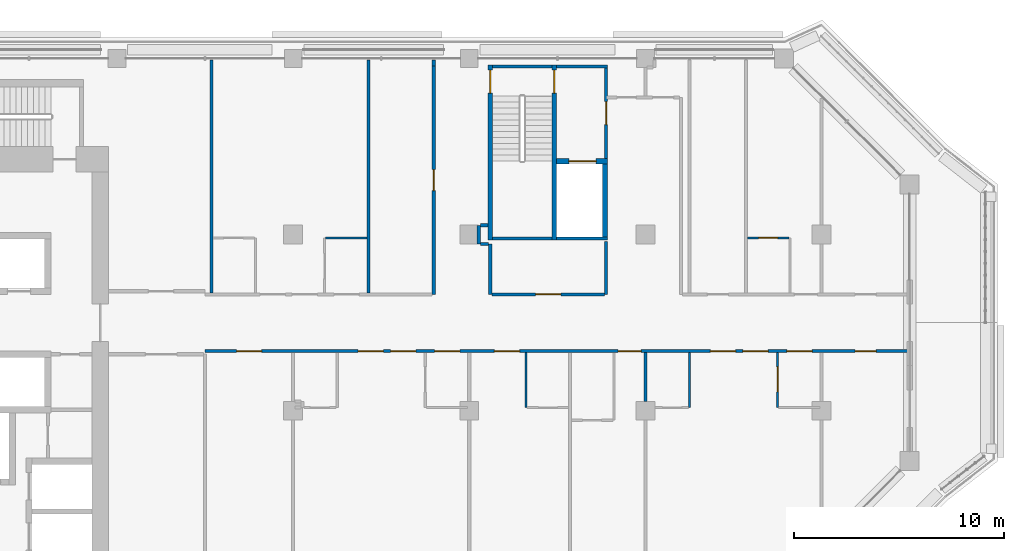
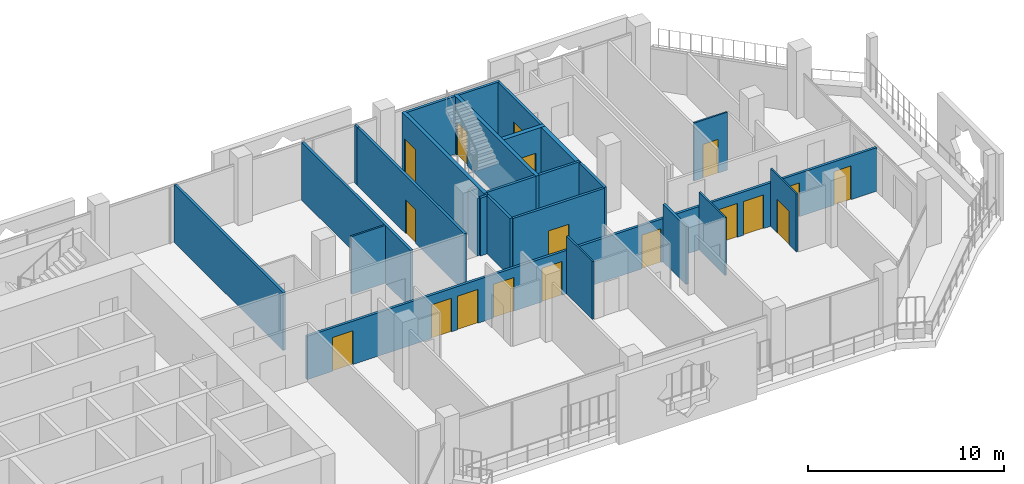
# One storey, part 13 of 23: 26 walls, 18 doors, 18 openings.
"""IFC4 building model written with IfcOpenShell, lengths in metres."""

from ifc_helpers import new_model, si_unit, direction, frame, frame_2d, origin, place, context, subcontext, project, spatial, rectangle, extrude, material, layer, layer_set, type_object, element, fill, save


model = new_model("IFC4")

# Units and contexts
model_context = context("Model", 3, precision=1e-05, world=origin(), true_north=direction((0.0, 1.0)))
body_context = subcontext(model_context, "Body", "Model", "MODEL_VIEW")
ifc_project = project(units=[si_unit("LENGTHUNIT", "METRE"), si_unit("AREAUNIT", "SQUARE_METRE"), si_unit("VOLUMEUNIT", "CUBIC_METRE"), si_unit("PLANEANGLEUNIT", "RADIAN"), si_unit("MASSUNIT", "GRAM", prefix="KILO")], contexts=[model_context])

# Site, building, storey
site_placement = place(None, origin())
site = spatial("IfcSite", under=ifc_project, at=site_placement, CompositionType="ELEMENT")
building_placement = place(site_placement, origin())
building = spatial("IfcBuilding", under=site, at=building_placement, Name="Kawkab Arch Medical Tower", CompositionType="ELEMENT")
storey_placement = place(building_placement, frame((0.0, 0.0, 247.39990234375)))
storey = spatial("IfcBuildingStorey", under=building, at=storey_placement, Name="L57", CompositionType="ELEMENT", Elevation=247.39990234375)

# Wall, opening, door
ifc_material_1 = material(Name="Gypsum board on steel studs", Category="steel")
ifc_layer_1 = layer(ifc_material_1, 0.14990234375)
ifc_layer_set_1 = layer_set([ifc_layer_1], Name="Gypsum board on steel studs")
wall_type_1 = type_object("IfcWallType", Name="Core room partition 150", PredefinedType="PARTITIONING", material=ifc_layer_set_1)
wall_1_placement = place(storey_placement, frame((48.52490234375, -4.77490234375, 0.0), z_axis=(0.0, 0.0, 1.0), x_axis=(0.0, 1.0, 0.0)))
wall_1 = element("IfcWall", 1, at=wall_1_placement, inside=storey, type_object=wall_type_1, Name="L57 core room partition", PredefinedType="PARTITIONING", context=body_context, shape_type="SweptSolid", body=[
    extrude(rectangle(XDim=4.324951171875, YDim=0.14990234375, at=frame_2d((2.16259765625, 0.0))), origin(), (0.0, 0.0, 1.0), 3.60009765625),
])
opening_1_placement = place(wall_1_placement, frame((1.625, 0.0, 0.0)))
opening_1 = element("IfcOpeningElement", 2, at=opening_1_placement, cuts=wall_1, Name="Opening FD", PredefinedType="OPENING", context=body_context, shape_type="SweptSolid", body=[
    extrude(rectangle(XDim=1.10009765625, YDim=2.10009765625, at=frame_2d((0.550048828125, 1.050048828125))), frame((0.0, 0.0849609375, 0.0), z_axis=(0.0, -1.0, 0.0), x_axis=(1.0, 0.0, 0.0)), (0.0, 0.0, 1.0), 0.169921875),
])
ifc_material_2 = material(Name="Hollow metal fire door leaf")
door_type_1 = type_object("IfcDoorType", Name="Firefighting lobby door 1100", OperationType="SINGLE_SWING_LEFT", PredefinedType="DOOR", material=ifc_material_2)
door_1_placement = place(opening_1_placement, origin())
door_1 = element("IfcDoor", 3, at=door_1_placement, inside=storey, type_object=door_type_1, Name="L57 Service lift lobby door SV1", OperationType="SINGLE_SWING_LEFT", OverallHeight=2.10009765625, OverallWidth=1.10009765625, PredefinedType="DOOR", context=body_context, shape_type="SweptSolid", body=[
    extrude(rectangle(XDim=1.10009765625, YDim=2.10009765625, at=frame_2d((0.550048828125, 1.050048828125))), frame((0.0, 0.02490234375, 0.0), z_axis=(0.0, -1.0, 0.0), x_axis=(1.0, 0.0, 0.0)), (0.0, 0.0, 1.0), 0.050048828125),
])
fill(opening_1, door_1)

ifc_material_3 = material(Name="Concrete C60/75", Category="concrete")
ifc_layer_2 = layer(ifc_material_3, 0.25)
ifc_layer_set_2 = layer_set([ifc_layer_2], Name="Concrete C60/75")
wall_type_2 = type_object("IfcWallType", Name="Core shear wall 250 C60/75", PredefinedType="SHEAR", material=ifc_layer_set_2)
wall_2_placement = place(storey_placement, frame((46.14990234375, -4.89990234375, 0.0), z_axis=(0.0, 0.0, 1.0), x_axis=(1.0, 0.0, 0.0)))
wall_2 = element("IfcWall", 4, at=wall_2_placement, inside=storey, type_object=wall_type_2, Name="L57 core shear wall", PredefinedType="SHEAR", context=body_context, shape_type="SweptSolid", body=[
    extrude(rectangle(XDim=2.4501953125, YDim=0.25, at=frame_2d((1.22509765625, 0.0))), origin(), (0.0, 0.0, 1.0), 3.60009765625),
])
opening_2_placement = place(wall_2_placement, frame((0.60009765625, 0.0, 0.0)))
opening_2 = element("IfcOpeningElement", 5, at=opening_2_placement, cuts=wall_2, Name="Opening LD2", PredefinedType="OPENING", context=body_context, shape_type="SweptSolid", body=[
    extrude(rectangle(XDim=1.300048828125, YDim=2.10009765625, at=frame_2d((0.64990234375, 1.050048828125))), frame((0.0, 0.135009765625, 0.0), z_axis=(0.0, -1.0, 0.0), x_axis=(1.0, 0.0, 0.0)), (0.0, 0.0, 1.0), 0.27001953125),
])
ifc_material_4 = material(Name="Stainless steel lift door leaf", Category="steel")
door_type_2 = type_object("IfcDoorType", Name="Lift landing door 1300", OperationType="DOUBLE_DOOR_SLIDING", PredefinedType="DOOR", material=ifc_material_4)
door_2_placement = place(opening_2_placement, origin())
door_2 = element("IfcDoor", 6, at=door_2_placement, inside=storey, type_object=door_type_2, Name="L57 Lift landing door SV1", OperationType="DOUBLE_DOOR_SLIDING", OverallHeight=2.10009765625, OverallWidth=1.300048828125, PredefinedType="DOOR", context=body_context, shape_type="SweptSolid", body=[
    extrude(rectangle(XDim=1.300048828125, YDim=2.10009765625, at=frame_2d((0.64990234375, 1.050048828125))), frame((0.0, 0.02490234375, 0.0), z_axis=(0.0, -1.0, 0.0), x_axis=(1.0, 0.0, 0.0)), (0.0, 0.0, 1.0), 0.050048828125),
])
fill(opening_2, door_2)

# Walls
wall_3_placement = place(storey_placement, frame((48.47509765625, -8.5, 0.0), z_axis=(0.0, 0.0, 1.0), x_axis=(0.0, 1.0, 0.0)))
element("IfcWall", 7, at=wall_3_placement, inside=storey, type_object=wall_type_2, Name="L57 core shear wall", PredefinedType="SHEAR", context=body_context, shape_type="SweptSolid", body=[
    extrude(rectangle(XDim=3.47509765625, YDim=0.25, at=frame_2d((1.737548828125, 0.0))), origin(), (0.0, 0.0, 1.0), 3.60009765625),
])
ifc_material_5 = material(Name="Gypsum board partition on steel studs", Category="steel")
ifc_layer_3 = layer(ifc_material_5, 0.10009765625)
ifc_layer_set_3 = layer_set([ifc_layer_3], Name="Gypsum board partition on steel studs")
wall_type_3 = type_object("IfcWallType", Name="Partition 100", PredefinedType="PARTITIONING", material=ifc_layer_set_3)
wall_4_placement = place(storey_placement, frame((35.14990234375, -8.550048828125, 0.0), z_axis=(0.0, 0.0, 1.0), x_axis=(1.0, 0.0, 0.0)))
element("IfcWall", 8, at=wall_4_placement, inside=storey, type_object=wall_type_3, Name="Partition 100 w008", PredefinedType="PARTITIONING", context=body_context, shape_type="SweptSolid", body=[
    extrude(rectangle(XDim=1.97509765625, YDim=0.10009765625, at=frame_2d((0.987548828125, 0.0))), origin(), (0.0, 0.0, 1.0), 3.60009765625),
])

# Wall, opening, door
wall_5_placement = place(storey_placement, frame((55.27490234375, -8.550048828125, 0.0), z_axis=(0.0, 0.0, 1.0), x_axis=(1.0, 0.0, 0.0)))
wall_5 = element("IfcWall", 9, at=wall_5_placement, inside=storey, type_object=wall_type_3, Name="Partition 100 w009", PredefinedType="PARTITIONING", context=body_context, shape_type="SweptSolid", body=[
    extrude(rectangle(XDim=1.97509765625, YDim=0.10009765625, at=frame_2d((0.987548828125, 0.0))), origin(), (0.0, 0.0, 1.0), 3.60009765625),
])
opening_3_placement = place(wall_5_placement, frame((0.52490234375, 0.0, 0.0)))
opening_3 = element("IfcOpeningElement", 10, at=opening_3_placement, cuts=wall_5, Name="Opening W57-003", PredefinedType="OPENING", context=body_context, shape_type="SweptSolid", body=[
    extrude(rectangle(XDim=0.89990234375, YDim=2.10009765625, at=frame_2d((0.449951171875, 1.050048828125))), frame((0.0, 0.06005859375, 0.0), z_axis=(0.0, -1.0, 0.0), x_axis=(1.0, 0.0, 0.0)), (0.0, 0.0, 1.0), 0.1201171875),
])
ifc_material_6 = material(Name="Timber door leaf", Category="wood")
door_type_3 = type_object("IfcDoorType", Name="Single door 900x2100", OperationType="NOTDEFINED", PredefinedType="DOOR", material=ifc_material_6)
door_3_placement = place(opening_3_placement, origin())
door_3 = element("IfcDoor", 11, at=door_3_placement, inside=storey, type_object=door_type_3, Name="Door W57-003", OperationType="SINGLE_SWING_LEFT", OverallHeight=2.10009765625, OverallWidth=0.89990234375, PredefinedType="DOOR", context=body_context, shape_type="SweptSolid", body=[
    extrude(rectangle(XDim=0.89990234375, YDim=2.10009765625, at=frame_2d((0.449951171875, 1.050048828125))), frame((0.0, 0.02490234375, 0.0), z_axis=(0.0, -1.0, 0.0), x_axis=(1.0, 0.0, 0.0)), (0.0, 0.0, 1.0), 0.050048828125),
])
fill(opening_3, door_3)

# Walls
for number, where, z_axis, x_axis, name in (
    (12, (44.699951171875, -16.64990234375, 0.0), (0.0, 0.0, 1.0), (0.0, 1.0, 0.0), "Partition 100 w014"),
    (13, (52.5, -16.64990234375, 0.0), (0.0, 0.0, 1.0), (0.0, 1.0, 0.0), "Partition 100 w016"),
):
    element("IfcWall", number, at=place(storey_placement, frame(where, z_axis=z_axis, x_axis=x_axis)), inside=storey, type_object=wall_type_3, Name=name, PredefinedType="PARTITIONING", context=body_context, shape_type="SweptSolid", body=[
        extrude(rectangle(XDim=2.625, YDim=0.10009765625, at=frame_2d((1.3125, 0.0))), origin(), (0.0, 0.0, 1.0), 3.60009765625),
    ])

# Wall, opening, door
wall_6_placement = place(storey_placement, frame((56.699951171875, -16.64990234375, 0.0), z_axis=(0.0, 0.0, 1.0), x_axis=(0.0, 1.0, 0.0)))
wall_6 = element("IfcWall", 14, at=wall_6_placement, inside=storey, type_object=wall_type_3, Name="Partition 100 w017", PredefinedType="PARTITIONING", context=body_context, shape_type="SweptSolid", body=[
    extrude(rectangle(XDim=2.625, YDim=0.10009765625, at=frame_2d((1.3125, 0.0))), origin(), (0.0, 0.0, 1.0), 3.60009765625),
])
opening_4_placement = place(wall_6_placement, frame((0.75, 0.0, 0.0)))
opening_4 = element("IfcOpeningElement", 15, at=opening_4_placement, cuts=wall_6, Name="Opening W57-036", PredefinedType="OPENING", context=body_context, shape_type="SweptSolid", body=[
    extrude(rectangle(XDim=1.199951171875, YDim=2.10009765625, at=frame_2d((0.60009765625, 1.050048828125))), frame((0.0, 0.06005859375, 0.0), z_axis=(0.0, -1.0, 0.0), x_axis=(1.0, 0.0, 0.0)), (0.0, 0.0, 1.0), 0.1201171875),
])
ifc_material_7 = material(Name="Timber door leaf", Category="wood")
door_type_4 = type_object("IfcDoorType", Name="Single door 1200x2100", OperationType="NOTDEFINED", PredefinedType="DOOR", material=ifc_material_7)
door_4_placement = place(opening_4_placement, origin())
door_4 = element("IfcDoor", 16, at=door_4_placement, inside=storey, type_object=door_type_4, Name="Door W57-036", OperationType="SINGLE_SWING_RIGHT", OverallHeight=2.10009765625, OverallWidth=1.199951171875, PredefinedType="DOOR", context=body_context, shape_type="SweptSolid", body=[
    extrude(rectangle(XDim=1.199951171875, YDim=2.10009765625, at=frame_2d((0.60009765625, 1.050048828125))), frame((0.0, 0.02490234375, 0.0), z_axis=(0.0, -1.0, 0.0), x_axis=(1.0, 0.0, 0.0)), (0.0, 0.0, 1.0), 0.050048828125),
])
fill(opening_4, door_4)

# Wall, openings, doors
ifc_material_8 = material(Name="Gypsum board partition on steel studs, mineral wool", Category="steel")
ifc_layer_4 = layer(ifc_material_8, 0.14990234375)
ifc_layer_set_4 = layer_set([ifc_layer_4], Name="Gypsum board partition on steel studs, mineral wool")
wall_type_4 = type_object("IfcWallType", Name="Partition 150", PredefinedType="PARTITIONING", material=ifc_layer_set_4)
wall_7_placement = place(storey_placement, frame((29.39990234375, -13.949951171875, 0.0), z_axis=(0.0, 0.0, 1.0), x_axis=(1.0, 0.0, 0.0)))
wall_7 = element("IfcWall", 17, at=wall_7_placement, inside=storey, type_object=wall_type_4, Name="Partition 150 w033", PredefinedType="PARTITIONING", context=body_context, shape_type="SweptSolid", body=[
    extrude(rectangle(XDim=33.52001953125, YDim=0.14990234375, at=frame_2d((16.760009765625, 0.0))), origin(), (0.0, 0.0, 1.0), 2.7001953125),
])
opening_5_placement = place(wall_7_placement, frame((1.5, 0.0, 0.0)))
opening_5 = element("IfcOpeningElement", 18, at=opening_5_placement, cuts=wall_7, Name="Opening W57-027", PredefinedType="OPENING", context=body_context, shape_type="SweptSolid", body=[
    extrude(rectangle(XDim=1.199951171875, YDim=2.10009765625, at=frame_2d((0.60009765625, 1.050048828125))), frame((0.0, 0.0849609375, 0.0), z_axis=(0.0, -1.0, 0.0), x_axis=(1.0, 0.0, 0.0)), (0.0, 0.0, 1.0), 0.169921875),
])
opening_6_placement = place(wall_7_placement, frame((8.85009765625, 0.0, 0.0)))
opening_6 = element("IfcOpeningElement", 19, at=opening_6_placement, cuts=wall_7, Name="Opening W57-028", PredefinedType="OPENING", context=body_context, shape_type="SweptSolid", body=[
    extrude(rectangle(XDim=1.199951171875, YDim=2.10009765625, at=frame_2d((0.60009765625, 1.050048828125))), frame((0.0, 0.0849609375, 0.0), z_axis=(0.0, -1.0, 0.0), x_axis=(1.0, 0.0, 0.0)), (0.0, 0.0, 1.0), 0.169921875),
])
opening_7_placement = place(wall_7_placement, frame((7.300048828125, 0.0, 0.0)))
opening_7 = element("IfcOpeningElement", 20, at=opening_7_placement, cuts=wall_7, Name="Opening W57-029", PredefinedType="OPENING", context=body_context, shape_type="SweptSolid", body=[
    extrude(rectangle(XDim=1.199951171875, YDim=2.10009765625, at=frame_2d((0.60009765625, 1.050048828125))), frame((0.0, 0.0849609375, 0.0), z_axis=(0.0, -1.0, 0.0), x_axis=(1.0, 0.0, 0.0)), (0.0, 0.0, 1.0), 0.169921875),
])
opening_8_placement = place(wall_7_placement, frame((10.949951171875, 0.0, 0.0)))
opening_8 = element("IfcOpeningElement", 21, at=opening_8_placement, cuts=wall_7, Name="Opening W57-030", PredefinedType="OPENING", context=body_context, shape_type="SweptSolid", body=[
    extrude(rectangle(XDim=1.199951171875, YDim=2.10009765625, at=frame_2d((0.60009765625, 1.050048828125))), frame((0.0, 0.0849609375, 0.0), z_axis=(0.0, -1.0, 0.0), x_axis=(1.0, 0.0, 0.0)), (0.0, 0.0, 1.0), 0.169921875),
])
opening_9_placement = place(wall_7_placement, frame((13.800048828125, 0.0, 0.0)))
opening_9 = element("IfcOpeningElement", 22, at=opening_9_placement, cuts=wall_7, Name="Opening W57-032", PredefinedType="OPENING", context=body_context, shape_type="SweptSolid", body=[
    extrude(rectangle(XDim=1.199951171875, YDim=2.10009765625, at=frame_2d((0.60009765625, 1.050048828125))), frame((0.0, 0.0849609375, 0.0), z_axis=(0.0, -1.0, 0.0), x_axis=(1.0, 0.0, 0.0)), (0.0, 0.0, 1.0), 0.169921875),
])
opening_10_placement = place(wall_7_placement, frame((19.699951171875, 0.0, 0.0)))
opening_10 = element("IfcOpeningElement", 23, at=opening_10_placement, cuts=wall_7, Name="Opening W57-020", PredefinedType="OPENING", context=body_context, shape_type="SweptSolid", body=[
    extrude(rectangle(XDim=1.10009765625, YDim=2.10009765625, at=frame_2d((0.550048828125, 1.050048828125))), frame((0.0, 0.0849609375, 0.0), z_axis=(0.0, -1.0, 0.0), x_axis=(1.0, 0.0, 0.0)), (0.0, 0.0, 1.0), 0.169921875),
])
opening_11_placement = place(wall_7_placement, frame((25.64990234375, 0.0, 0.0)))
opening_11 = element("IfcOpeningElement", 24, at=opening_11_placement, cuts=wall_7, Name="Opening W57-033", PredefinedType="OPENING", context=body_context, shape_type="SweptSolid", body=[
    extrude(rectangle(XDim=1.199951171875, YDim=2.10009765625, at=frame_2d((0.60009765625, 1.050048828125))), frame((0.0, 0.0849609375, 0.0), z_axis=(0.0, -1.0, 0.0), x_axis=(1.0, 0.0, 0.0)), (0.0, 0.0, 1.0), 0.169921875),
])
opening_12_placement = place(wall_7_placement, frame((24.10009765625, 0.0, 0.0)))
opening_12 = element("IfcOpeningElement", 25, at=opening_12_placement, cuts=wall_7, Name="Opening W57-034", PredefinedType="OPENING", context=body_context, shape_type="SweptSolid", body=[
    extrude(rectangle(XDim=1.199951171875, YDim=2.10009765625, at=frame_2d((0.60009765625, 1.050048828125))), frame((0.0, 0.0849609375, 0.0), z_axis=(0.0, -1.0, 0.0), x_axis=(1.0, 0.0, 0.0)), (0.0, 0.0, 1.0), 0.169921875),
])
opening_13_placement = place(wall_7_placement, frame((27.75, 0.0, 0.0)))
opening_13 = element("IfcOpeningElement", 26, at=opening_13_placement, cuts=wall_7, Name="Opening W57-035", PredefinedType="OPENING", context=body_context, shape_type="SweptSolid", body=[
    extrude(rectangle(XDim=1.199951171875, YDim=2.10009765625, at=frame_2d((0.60009765625, 1.050048828125))), frame((0.0, 0.0849609375, 0.0), z_axis=(0.0, -1.0, 0.0), x_axis=(1.0, 0.0, 0.0)), (0.0, 0.0, 1.0), 0.169921875),
])
opening_14_placement = place(wall_7_placement, frame((31.0, 0.0, 0.0)))
opening_14 = element("IfcOpeningElement", 27, at=opening_14_placement, cuts=wall_7, Name="Opening W57-012", PredefinedType="OPENING", context=body_context, shape_type="SweptSolid", body=[
    extrude(rectangle(XDim=1.0, YDim=2.10009765625, at=frame_2d((0.5, 1.050048828125))), frame((0.0, 0.0849609375, 0.0), z_axis=(0.0, -1.0, 0.0), x_axis=(1.0, 0.0, 0.0)), (0.0, 0.0, 1.0), 0.169921875),
])
ifc_material_9 = material(Name="Hollow metal door leaf")
door_type_5 = type_object("IfcDoorType", Name="Single door 1000x2100 FD30S", OperationType="NOTDEFINED", PredefinedType="DOOR", material=ifc_material_9)
door_5_placement = place(opening_14_placement, origin())
door_5 = element("IfcDoor", 28, at=door_5_placement, inside=storey, type_object=door_type_5, Name="Door W57-012", OperationType="SINGLE_SWING_LEFT", OverallHeight=2.10009765625, OverallWidth=1.0, PredefinedType="DOOR", context=body_context, shape_type="SweptSolid", body=[
    extrude(rectangle(XDim=1.0, YDim=2.10009765625, at=frame_2d((0.5, 1.050048828125))), frame((0.0, 0.02490234375, 0.0), z_axis=(0.0, -1.0, 0.0), x_axis=(1.0, 0.0, 0.0)), (0.0, 0.0, 1.0), 0.050048828125),
])
fill(opening_14, door_5)
ifc_material_10 = material(Name="Hollow metal door leaf")
door_type_6 = type_object("IfcDoorType", Name="Single door 1100x2100 FD30S", OperationType="NOTDEFINED", PredefinedType="DOOR", material=ifc_material_10)
door_6_placement = place(opening_10_placement, origin())
door_6 = element("IfcDoor", 29, at=door_6_placement, inside=storey, type_object=door_type_6, Name="Door W57-020", OperationType="SINGLE_SWING_LEFT", OverallHeight=2.10009765625, OverallWidth=1.10009765625, PredefinedType="DOOR", context=body_context, shape_type="SweptSolid", body=[
    extrude(rectangle(XDim=1.10009765625, YDim=2.10009765625, at=frame_2d((0.550048828125, 1.050048828125))), frame((0.0, 0.02490234375, 0.0), z_axis=(0.0, -1.0, 0.0), x_axis=(1.0, 0.0, 0.0)), (0.0, 0.0, 1.0), 0.050048828125),
])
fill(opening_10, door_6)
ifc_material_11 = material(Name="Hollow metal door leaf")
door_type_7 = type_object("IfcDoorType", Name="Single door 1200x2100 FD30S", OperationType="NOTDEFINED", PredefinedType="DOOR", material=ifc_material_11)
door_7_placement = place(opening_5_placement, origin())
door_7 = element("IfcDoor", 30, at=door_7_placement, inside=storey, type_object=door_type_7, Name="Door W57-027", OperationType="SINGLE_SWING_RIGHT", OverallHeight=2.10009765625, OverallWidth=1.199951171875, PredefinedType="DOOR", context=body_context, shape_type="SweptSolid", body=[
    extrude(rectangle(XDim=1.199951171875, YDim=2.10009765625, at=frame_2d((0.60009765625, 1.050048828125))), frame((0.0, 0.02490234375, 0.0), z_axis=(0.0, -1.0, 0.0), x_axis=(1.0, 0.0, 0.0)), (0.0, 0.0, 1.0), 0.050048828125),
])
fill(opening_5, door_7)
door_8_placement = place(opening_6_placement, origin())
door_8 = element("IfcDoor", 31, at=door_8_placement, inside=storey, type_object=door_type_7, Name="Door W57-028", OperationType="SINGLE_SWING_RIGHT", OverallHeight=2.10009765625, OverallWidth=1.199951171875, PredefinedType="DOOR", context=body_context, shape_type="SweptSolid", body=[
    extrude(rectangle(XDim=1.199951171875, YDim=2.10009765625, at=frame_2d((0.60009765625, 1.050048828125))), frame((0.0, 0.02490234375, 0.0), z_axis=(0.0, -1.0, 0.0), x_axis=(1.0, 0.0, 0.0)), (0.0, 0.0, 1.0), 0.050048828125),
])
fill(opening_6, door_8)
door_9_placement = place(opening_7_placement, origin())
door_9 = element("IfcDoor", 32, at=door_9_placement, inside=storey, type_object=door_type_7, Name="Door W57-029", OperationType="SINGLE_SWING_RIGHT", OverallHeight=2.10009765625, OverallWidth=1.199951171875, PredefinedType="DOOR", context=body_context, shape_type="SweptSolid", body=[
    extrude(rectangle(XDim=1.199951171875, YDim=2.10009765625, at=frame_2d((0.60009765625, 1.050048828125))), frame((0.0, 0.02490234375, 0.0), z_axis=(0.0, -1.0, 0.0), x_axis=(1.0, 0.0, 0.0)), (0.0, 0.0, 1.0), 0.050048828125),
])
fill(opening_7, door_9)
door_10_placement = place(opening_8_placement, origin())
door_10 = element("IfcDoor", 33, at=door_10_placement, inside=storey, type_object=door_type_7, Name="Door W57-030", OperationType="SINGLE_SWING_RIGHT", OverallHeight=2.10009765625, OverallWidth=1.199951171875, PredefinedType="DOOR", context=body_context, shape_type="SweptSolid", body=[
    extrude(rectangle(XDim=1.199951171875, YDim=2.10009765625, at=frame_2d((0.60009765625, 1.050048828125))), frame((0.0, 0.02490234375, 0.0), z_axis=(0.0, -1.0, 0.0), x_axis=(1.0, 0.0, 0.0)), (0.0, 0.0, 1.0), 0.050048828125),
])
fill(opening_8, door_10)
door_11_placement = place(opening_9_placement, origin())
door_11 = element("IfcDoor", 34, at=door_11_placement, inside=storey, type_object=door_type_7, Name="Door W57-032", OperationType="SINGLE_SWING_RIGHT", OverallHeight=2.10009765625, OverallWidth=1.199951171875, PredefinedType="DOOR", context=body_context, shape_type="SweptSolid", body=[
    extrude(rectangle(XDim=1.199951171875, YDim=2.10009765625, at=frame_2d((0.60009765625, 1.050048828125))), frame((0.0, 0.02490234375, 0.0), z_axis=(0.0, -1.0, 0.0), x_axis=(1.0, 0.0, 0.0)), (0.0, 0.0, 1.0), 0.050048828125),
])
fill(opening_9, door_11)
door_12_placement = place(opening_11_placement, origin())
door_12 = element("IfcDoor", 35, at=door_12_placement, inside=storey, type_object=door_type_7, Name="Door W57-033", OperationType="SINGLE_SWING_LEFT", OverallHeight=2.10009765625, OverallWidth=1.199951171875, PredefinedType="DOOR", context=body_context, shape_type="SweptSolid", body=[
    extrude(rectangle(XDim=1.199951171875, YDim=2.10009765625, at=frame_2d((0.60009765625, 1.050048828125))), frame((0.0, 0.02490234375, 0.0), z_axis=(0.0, -1.0, 0.0), x_axis=(1.0, 0.0, 0.0)), (0.0, 0.0, 1.0), 0.050048828125),
])
fill(opening_11, door_12)
door_13_placement = place(opening_12_placement, origin())
door_13 = element("IfcDoor", 36, at=door_13_placement, inside=storey, type_object=door_type_7, Name="Door W57-034", OperationType="SINGLE_SWING_LEFT", OverallHeight=2.10009765625, OverallWidth=1.199951171875, PredefinedType="DOOR", context=body_context, shape_type="SweptSolid", body=[
    extrude(rectangle(XDim=1.199951171875, YDim=2.10009765625, at=frame_2d((0.60009765625, 1.050048828125))), frame((0.0, 0.02490234375, 0.0), z_axis=(0.0, -1.0, 0.0), x_axis=(1.0, 0.0, 0.0)), (0.0, 0.0, 1.0), 0.050048828125),
])
fill(opening_12, door_13)
door_14_placement = place(opening_13_placement, origin())
door_14 = element("IfcDoor", 37, at=door_14_placement, inside=storey, type_object=door_type_7, Name="Door W57-035", OperationType="SINGLE_SWING_LEFT", OverallHeight=2.10009765625, OverallWidth=1.199951171875, PredefinedType="DOOR", context=body_context, shape_type="SweptSolid", body=[
    extrude(rectangle(XDim=1.199951171875, YDim=2.10009765625, at=frame_2d((0.60009765625, 1.050048828125))), frame((0.0, 0.02490234375, 0.0), z_axis=(0.0, -1.0, 0.0), x_axis=(1.0, 0.0, 0.0)), (0.0, 0.0, 1.0), 0.050048828125),
])
fill(opening_13, door_14)

# Wall, opening, door
wall_8_placement = place(storey_placement, frame((43.074951171875, -11.25, 0.0), z_axis=(0.0, 0.0, 1.0), x_axis=(1.0, 0.0, 0.0)))
wall_8 = element("IfcWall", 38, at=wall_8_placement, inside=storey, type_object=wall_type_4, Name="Partition 150 w035", PredefinedType="PARTITIONING", context=body_context, shape_type="SweptSolid", body=[
    extrude(rectangle(XDim=5.375, YDim=0.14990234375, at=frame_2d((2.6875, 0.0))), origin(), (0.0, 0.0, 1.0), 3.60009765625),
])
opening_15_placement = place(wall_8_placement, frame((2.0869140625, 0.0, 0.0)))
opening_15 = element("IfcOpeningElement", 39, at=opening_15_placement, cuts=wall_8, Name="Opening W57-026", PredefinedType="OPENING", context=body_context, shape_type="SweptSolid", body=[
    extrude(rectangle(XDim=1.199951171875, YDim=2.10009765625, at=frame_2d((0.60009765625, 1.050048828125))), frame((0.0, 0.0849609375, 0.0), z_axis=(0.0, -1.0, 0.0), x_axis=(1.0, 0.0, 0.0)), (0.0, 0.0, 1.0), 0.169921875),
])
door_15_placement = place(opening_15_placement, origin())
door_15 = element("IfcDoor", 40, at=door_15_placement, inside=storey, type_object=door_type_7, Name="Door W57-026", OperationType="SINGLE_SWING_LEFT", OverallHeight=2.10009765625, OverallWidth=1.199951171875, PredefinedType="DOOR", context=body_context, shape_type="SweptSolid", body=[
    extrude(rectangle(XDim=1.199951171875, YDim=2.10009765625, at=frame_2d((0.60009765625, 1.050048828125))), frame((0.0, 0.02490234375, 0.0), z_axis=(0.0, -1.0, 0.0), x_axis=(1.0, 0.0, 0.0)), (0.0, 0.0, 1.0), 0.050048828125),
])
fill(opening_15, door_15)

# Walls
wall_9_placement = place(storey_placement, frame((42.527099609375, -8.85009765625, 0.0), z_axis=(0.0, 0.0, 1.0), x_axis=(1.0, 0.0, 0.0)))
element("IfcWall", 41, at=wall_9_placement, inside=storey, type_object=wall_type_4, Name="Partition 150 w038", PredefinedType="PARTITIONING", context=body_context, shape_type="SweptSolid", body=[
    extrude(rectangle(XDim=0.39599609375, YDim=0.14990234375, at=frame_2d((0.197998046875, 0.0))), origin(), (0.0, 0.0, 1.0), 3.60009765625),
])
wall_10_placement = place(storey_placement, frame((42.527099609375, -7.949951171875, 0.0), z_axis=(0.0, 0.0, 1.0), x_axis=(1.0, 0.0, 0.0)))
element("IfcWall", 42, at=wall_10_placement, inside=storey, type_object=wall_type_4, Name="Partition 150 w039", PredefinedType="PARTITIONING", context=body_context, shape_type="SweptSolid", body=[
    extrude(rectangle(XDim=0.372802734375, YDim=0.14990234375, at=frame_2d((0.1865234375, 0.0))), origin(), (0.0, 0.0, 1.0), 3.60009765625),
])
for number, where, z_axis, x_axis, name in (
    (43, (29.699951171875, -11.175048828125, 0.0), (0.0, 0.0, 1.0), (0.0, 1.0, 0.0), "Partition 150 w054"),
    (44, (37.199951171875, -11.175048828125, 0.0), (0.0, 0.0, 1.0), (0.0, 1.0, 0.0), "Partition 150 w058"),
):
    element("IfcWall", number, at=place(storey_placement, frame(where, z_axis=z_axis, x_axis=x_axis)), inside=storey, type_object=wall_type_4, Name=name, PredefinedType="PARTITIONING", context=body_context, shape_type="SweptSolid", body=[
        extrude(rectangle(XDim=11.094970703125, YDim=0.14990234375, at=frame_2d((5.54736328125, 0.0))), origin(), (0.0, 0.0, 1.0), 3.60009765625),
    ])

# Wall, opening, door
wall_11_placement = place(storey_placement, frame((40.306884765625, -11.25, 0.0), z_axis=(0.0, 0.0, 1.0), x_axis=(0.0, 1.0, 0.0)))
wall_11 = element("IfcWall", 45, at=wall_11_placement, inside=storey, type_object=wall_type_4, Name="Partition 150 w059", PredefinedType="PARTITIONING", context=body_context, shape_type="SweptSolid", body=[
    extrude(rectangle(XDim=10.89794921875, YDim=0.14990234375, at=frame_2d((5.448974609375, 0.0))), origin(), (0.0, 0.0, 1.0), 3.60009765625),
])
opening_16_placement = place(wall_11_placement, frame((4.948974609375, 0.0, 0.0)))
opening_16 = element("IfcOpeningElement", 46, at=opening_16_placement, cuts=wall_11, Name="Opening W57-010", PredefinedType="OPENING", context=body_context, shape_type="SweptSolid", body=[
    extrude(rectangle(XDim=1.0, YDim=2.10009765625, at=frame_2d((0.5, 1.050048828125))), frame((0.0, 0.0849609375, 0.0), z_axis=(0.0, -1.0, 0.0), x_axis=(1.0, 0.0, 0.0)), (0.0, 0.0, 1.0), 0.169921875),
])
door_16_placement = place(opening_16_placement, origin())
door_16 = element("IfcDoor", 47, at=door_16_placement, inside=storey, type_object=door_type_5, Name="Door W57-010", OperationType="SINGLE_SWING_RIGHT", OverallHeight=2.10009765625, OverallWidth=1.0, PredefinedType="DOOR", context=body_context, shape_type="SweptSolid", body=[
    extrude(rectangle(XDim=1.0, YDim=2.10009765625, at=frame_2d((0.5, 1.050048828125))), frame((0.0, 0.02490234375, 0.0), z_axis=(0.0, -1.0, 0.0), x_axis=(1.0, 0.0, 0.0)), (0.0, 0.0, 1.0), 0.050048828125),
])
fill(opening_16, door_16)

# Walls
wall_12_placement = place(storey_placement, frame((40.306884765625, -0.35009765625, 0.0), z_axis=(0.0, 0.0, 1.0), x_axis=(0.0, 1.0, 0.0)))
element("IfcWall", 48, at=wall_12_placement, inside=storey, type_object=wall_type_4, Name="Partition 150 w060", PredefinedType="PARTITIONING", context=body_context, shape_type="SweptSolid", body=[
    extrude(rectangle(XDim=0.27001953125, YDim=0.14990234375, at=frame_2d((0.135009765625, 0.0))), origin(), (0.0, 0.0, 1.0), 3.60009765625),
])
wall_13_placement = place(storey_placement, frame((42.449951171875, -8.84912109375, 0.0), z_axis=(0.0, 0.0, 1.0), x_axis=(0.0, 1.0, 0.0)))
element("IfcWall", 49, at=wall_13_placement, inside=storey, type_object=wall_type_4, Name="Partition 150 w062", PredefinedType="PARTITIONING", context=body_context, shape_type="SweptSolid", body=[
    extrude(rectangle(XDim=0.897216796875, YDim=0.14990234375, at=frame_2d((0.44873046875, 0.0))), origin(), (0.0, 0.0, 1.0), 3.60009765625),
])
wall_14_placement = place(storey_placement, frame((43.0, -11.25, 0.0), z_axis=(0.0, 0.0, 1.0), x_axis=(0.0, 1.0, 0.0)))
element("IfcWall", 50, at=wall_14_placement, inside=storey, type_object=wall_type_4, Name="Partition 150 w063", PredefinedType="PARTITIONING", context=body_context, shape_type="SweptSolid", body=[
    extrude(rectangle(XDim=2.39794921875, YDim=0.14990234375, at=frame_2d((1.198974609375, 0.0))), origin(), (0.0, 0.0, 1.0), 3.60009765625),
])
wall_15_placement = place(storey_placement, frame((48.52490234375, -11.25, 0.0), z_axis=(0.0, 0.0, 1.0), x_axis=(0.0, 1.0, 0.0)))
element("IfcWall", 51, at=wall_15_placement, inside=storey, type_object=wall_type_4, Name="Partition 150 w065", PredefinedType="PARTITIONING", context=body_context, shape_type="SweptSolid", body=[
    extrude(rectangle(XDim=2.52001953125, YDim=0.14990234375, at=frame_2d((1.260009765625, 0.0))), origin(), (0.0, 0.0, 1.0), 3.60009765625),
])
wall_16_placement = place(storey_placement, frame((50.39990234375, -16.35009765625, 0.0), z_axis=(0.0, 0.0, 1.0), x_axis=(0.0, 1.0, 0.0)))
element("IfcWall", 52, at=wall_16_placement, inside=storey, type_object=wall_type_4, Name="Partition 150 w067", PredefinedType="PARTITIONING", context=body_context, shape_type="SweptSolid", body=[
    extrude(rectangle(XDim=2.3251953125, YDim=0.14990234375, at=frame_2d((1.16259765625, 0.0))), origin(), (0.0, 0.0, 1.0), 3.60009765625),
])
ifc_material_12 = material(Name="Concrete C50/60", Category="concrete")
ifc_layer_5 = layer(ifc_material_12, 0.14990234375)
ifc_layer_set_5 = layer_set([ifc_layer_5], Name="Concrete C50/60")
wall_type_5 = type_object("IfcWallType", Name="Stair enclosure wall 150 C50/60", PredefinedType="SHEAR", material=ifc_layer_set_5)
wall_17_placement = place(storey_placement, frame((43.10009765625, -0.375, 0.0), z_axis=(0.0, 0.0, 1.0), x_axis=(1.0, 0.0, 0.0)))
element("IfcWall", 53, at=wall_17_placement, inside=storey, type_object=wall_type_5, Name="L57 stair enclosure wall", PredefinedType="SHEAR", context=body_context, shape_type="SweptSolid", body=[
    extrude(rectangle(XDim=2.849853515625, YDim=0.14990234375, at=frame_2d((1.4248046875, 0.0))), origin(), (0.0, 0.0, 1.0), 3.60009765625),
])
wall_18_placement = place(storey_placement, frame((46.14990234375, -0.375, 0.0), z_axis=(0.0, 0.0, 1.0), x_axis=(1.0, 0.0, 0.0)))
element("IfcWall", 54, at=wall_18_placement, inside=storey, type_object=wall_type_5, Name="L57 stair enclosure wall", PredefinedType="SHEAR", context=body_context, shape_type="SweptSolid", body=[
    extrude(rectangle(XDim=2.4501953125, YDim=0.14990234375, at=frame_2d((1.22509765625, 0.0))), origin(), (0.0, 0.0, 1.0), 3.60009765625),
])
wall_19_placement = place(storey_placement, frame((43.10009765625, -8.574951171875, 0.0), z_axis=(0.0, 0.0, 1.0), x_axis=(1.0, 0.0, 0.0)))
element("IfcWall", 55, at=wall_19_placement, inside=storey, type_object=wall_type_5, Name="L57 stair enclosure wall", PredefinedType="SHEAR", context=body_context, shape_type="SweptSolid", body=[
    extrude(rectangle(XDim=2.849853515625, YDim=0.14990234375, at=frame_2d((1.4248046875, 0.0))), origin(), (0.0, 0.0, 1.0), 3.60009765625),
])
wall_20_placement = place(storey_placement, frame((46.14990234375, -8.574951171875, 0.0), z_axis=(0.0, 0.0, 1.0), x_axis=(1.0, 0.0, 0.0)))
element("IfcWall", 56, at=wall_20_placement, inside=storey, type_object=wall_type_5, Name="L57 stair enclosure wall", PredefinedType="SHEAR", context=body_context, shape_type="SweptSolid", body=[
    extrude(rectangle(XDim=2.4501953125, YDim=0.14990234375, at=frame_2d((1.22509765625, 0.0))), origin(), (0.0, 0.0, 1.0), 3.60009765625),
])

# Wall, opening, door
ifc_material_13 = material(Name="Concrete C50/60", Category="concrete")
ifc_layer_6 = layer(ifc_material_13, 0.199951171875)
ifc_layer_set_6 = layer_set([ifc_layer_6], Name="Concrete C50/60")
wall_type_6 = type_object("IfcWallType", Name="Stair enclosure wall 200 C50/60", PredefinedType="SHEAR", material=ifc_layer_set_6)
wall_21_placement = place(storey_placement, frame((43.0, -8.64990234375, 0.0), z_axis=(0.0, 0.0, 1.0), x_axis=(0.0, 1.0, 0.0)))
wall_21 = element("IfcWall", 57, at=wall_21_placement, inside=storey, type_object=wall_type_6, Name="L57 stair enclosure wall", PredefinedType="SHEAR", context=body_context, shape_type="SweptSolid", body=[
    extrude(rectangle(XDim=8.349853515625, YDim=0.199951171875, at=frame_2d((4.1748046875, 0.0))), origin(), (0.0, 0.0, 1.0), 3.60009765625),
])
opening_17_placement = place(wall_21_placement, frame((7.0, 0.0, 0.0)))
opening_17 = element("IfcOpeningElement", 58, at=opening_17_placement, cuts=wall_21, Name="Opening SD", PredefinedType="OPENING", context=body_context, shape_type="SweptSolid", body=[
    extrude(rectangle(XDim=1.10009765625, YDim=2.10009765625, at=frame_2d((0.550048828125, 1.050048828125))), frame((0.0, 0.10986328125, 0.0), z_axis=(0.0, -1.0, 0.0), x_axis=(1.0, 0.0, 0.0)), (0.0, 0.0, 1.0), 0.219970703125),
])
ifc_material_14 = material(Name="Hollow metal fire door leaf")
door_type_8 = type_object("IfcDoorType", Name="Exit stair door 1100", OperationType="SINGLE_SWING_LEFT", PredefinedType="DOOR", material=ifc_material_14)
door_17_placement = place(opening_17_placement, frame((1.10009765625, 0.0, 0.0), z_axis=(0.0, 0.0, 1.0), x_axis=(-1.0, 0.0, 0.0)))
door_17 = element("IfcDoor", 59, at=door_17_placement, inside=storey, type_object=door_type_8, Name="L57 Exit stair ST5 door", OperationType="SINGLE_SWING_LEFT", OverallHeight=2.10009765625, OverallWidth=1.10009765625, PredefinedType="DOOR", context=body_context, shape_type="SweptSolid", body=[
    extrude(rectangle(XDim=1.10009765625, YDim=2.10009765625, at=frame_2d((0.550048828125, 1.050048828125))), frame((0.0, 0.02490234375, 0.0), z_axis=(0.0, -1.0, 0.0), x_axis=(1.0, 0.0, 0.0)), (0.0, 0.0, 1.0), 0.050048828125),
])
fill(opening_17, door_17)

wall_22_placement = place(storey_placement, frame((46.050048828125, -8.64990234375, 0.0), z_axis=(0.0, 0.0, 1.0), x_axis=(0.0, 1.0, 0.0)))
wall_22 = element("IfcWall", 60, at=wall_22_placement, inside=storey, type_object=wall_type_6, Name="L57 stair enclosure wall", PredefinedType="SHEAR", context=body_context, shape_type="SweptSolid", body=[
    extrude(rectangle(XDim=8.349853515625, YDim=0.199951171875, at=frame_2d((4.1748046875, 0.0))), origin(), (0.0, 0.0, 1.0), 3.60009765625),
])
opening_18_placement = place(wall_22_placement, frame((7.0, 0.0, 0.0)))
opening_18 = element("IfcOpeningElement", 61, at=opening_18_placement, cuts=wall_22, Name="Opening SD", PredefinedType="OPENING", context=body_context, shape_type="SweptSolid", body=[
    extrude(rectangle(XDim=1.10009765625, YDim=2.10009765625, at=frame_2d((0.550048828125, 1.050048828125))), frame((0.0, 0.10986328125, 0.0), z_axis=(0.0, -1.0, 0.0), x_axis=(1.0, 0.0, 0.0)), (0.0, 0.0, 1.0), 0.219970703125),
])
door_18_placement = place(opening_18_placement, origin())
door_18 = element("IfcDoor", 62, at=door_18_placement, inside=storey, type_object=door_type_8, Name="L57 Exit stair ST5 lobby door", OperationType="SINGLE_SWING_LEFT", OverallHeight=2.10009765625, OverallWidth=1.10009765625, PredefinedType="DOOR", context=body_context, shape_type="SweptSolid", body=[
    extrude(rectangle(XDim=1.10009765625, YDim=2.10009765625, at=frame_2d((0.550048828125, 1.050048828125))), frame((0.0, 0.02490234375, 0.0), z_axis=(0.0, -1.0, 0.0), x_axis=(1.0, 0.0, 0.0)), (0.0, 0.0, 1.0), 0.050048828125),
])
fill(opening_18, door_18)

save(model, "model.ifc")
